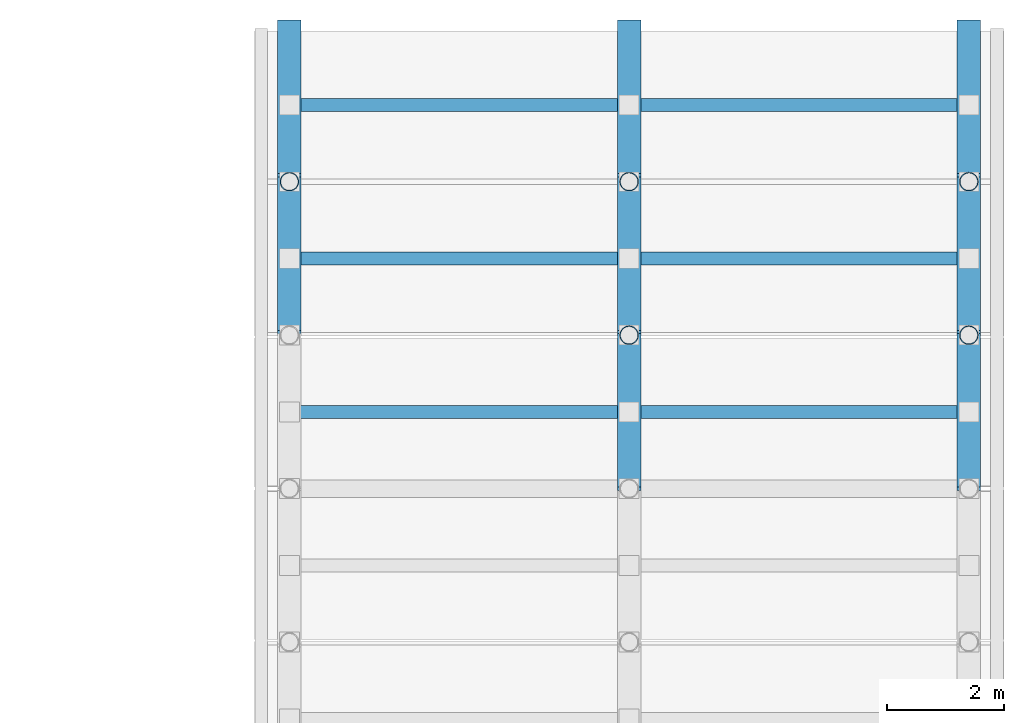
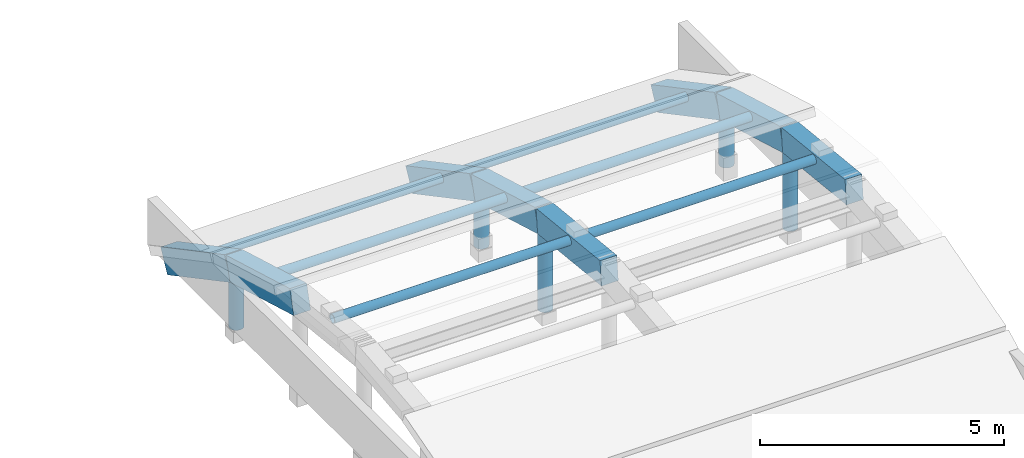
# One storey, part 4 of 16: 11 members, 8 beams.
"""IFC4 building model written with IfcOpenShell, lengths in metres."""

from ifc_helpers import new_model, si_unit, direction, frame, origin, origin_with_axes, origin_2d, place, context, subcontext, project, spatial, rectangle, hollow_circle, extrude, source, transform, mapped, material, material_profile, profile_set, type_object, element, save


model = new_model("IFC4")

# Units and contexts
model_context = context("Model", 3, precision=1e-05, world=origin(), true_north=direction((0.0, 1.0)))
body_context = subcontext(model_context, "Body", "Model", "MODEL_VIEW")
ifc_project = project(units=[si_unit("LENGTHUNIT", "METRE"), si_unit("AREAUNIT", "SQUARE_METRE"), si_unit("VOLUMEUNIT", "CUBIC_METRE"), si_unit("PLANEANGLEUNIT", "RADIAN"), si_unit("MASSUNIT", "GRAM", prefix="KILO")], contexts=[model_context])

# Site, building, storey
site_placement = place(None, origin())
site = spatial("IfcSite", under=ifc_project, at=site_placement, CompositionType="ELEMENT")
building_placement = place(site_placement, origin())
building = spatial("IfcBuilding", under=site, at=building_placement, Name="Karkom Vertical University and Central Library", CompositionType="ELEMENT")
storey_placement = place(building_placement, frame((0.0, 0.0, 22.5)))
storey = spatial("IfcBuildingStorey", under=building, at=storey_placement, Name="L05", CompositionType="ELEMENT", Elevation=22.5)

# Members
ifc_material_1 = material(Name="Steel S355", Category="steel")
ifc_material_profile_1 = material_profile(ifc_material_1, hollow_circle(Radius=0.109619140625, WallThickness=0.012451171875, at=origin_2d()), Name="CHS 219.1x12.5")
ifc_profile_set_1 = profile_set([ifc_material_profile_1], Name="Steel S355")
member_type_1 = type_object("IfcMemberType", Name="STR-MEM-PR-1", PredefinedType="PURLIN", material=ifc_profile_set_1)
shared_shape_1 = source(origin_with_axes(), body_context, "Body", "SweptSolid", [
    extrude(hollow_circle(Radius=0.109619140625, WallThickness=0.012451171875, at=origin_2d()), origin(), (0.0, 0.0, 1.0), 5.7998046875),
])
for number, where, z_axis, x_axis, name in (
    (1, (69.60009765625, 43.530029296875, 1.916015625), (1.0, 0.0, 0.0), (0.0, 1.0, 0.0), "Library Vault 3 Purlin 4.1"),
    (2, (69.60009765625, 46.14990234375, 1.39501953125), (1.0, 0.0, 0.0), (0.0, 1.0, 0.0), "Library Vault 3 Purlin 5.1"),
    (3, (69.60009765625, 48.77001953125, 0.302490234375), (1.0, 0.0, 0.0), (0.0, 1.0, 0.0), "Library Vault 3 Purlin 6.1"),
):
    element("IfcMember", number, at=place(storey_placement, frame(where, z_axis=z_axis, x_axis=x_axis)), inside=storey, type_object=member_type_1, Name=name, PredefinedType="PURLIN", context=body_context, shape_type="MappedRepresentation", body=[
        mapped(shared_shape_1, transform((0.0, 0.0, 0.0), scale=1.0)),
    ])
shared_shape_2 = source(origin_with_axes(), body_context, "Body", "SweptSolid", [
    extrude(hollow_circle(Radius=0.109619140625, WallThickness=0.012451171875, at=origin_2d()), origin(), (0.0, 0.0, 1.0), 5.800048828125),
])
for number, where, z_axis, x_axis, name in (
    (4, (75.39990234375, 43.530029296875, 1.916015625), (1.0, 0.0, 0.0), (0.0, 1.0, 0.0), "Library Vault 3 Purlin 4.2"),
    (5, (75.39990234375, 46.14990234375, 1.39501953125), (1.0, 0.0, 0.0), (0.0, 1.0, 0.0), "Library Vault 3 Purlin 5.2"),
    (6, (75.39990234375, 48.77001953125, 0.302490234375), (1.0, 0.0, 0.0), (0.0, 1.0, 0.0), "Library Vault 3 Purlin 6.2"),
):
    element("IfcMember", number, at=place(storey_placement, frame(where, z_axis=z_axis, x_axis=x_axis)), inside=storey, type_object=member_type_1, Name=name, PredefinedType="PURLIN", context=body_context, shape_type="MappedRepresentation", body=[
        mapped(shared_shape_2, transform((0.0, 0.0, 0.0), scale=1.0)),
    ])
ifc_material_profile_2 = material_profile(ifc_material_1, hollow_circle(Radius=0.161865234375, WallThickness=0.01611328125, at=origin_2d()), Name="CHS 323.9x16")
ifc_profile_set_2 = profile_set([ifc_material_profile_2], Name="Steel S355")
member_type_2 = type_object("IfcMemberType", Name="STR-MEM-PT-1", PredefinedType="POST", material=ifc_profile_set_2)
shared_shape_3 = source(origin_with_axes(), body_context, "Body", "SweptSolid", [
    extrude(hollow_circle(Radius=0.161865234375, WallThickness=0.01611328125, at=origin_2d()), origin(), (0.0, 0.0, 1.0), 1.5029296875),
])
for number, where, z_axis, x_axis, name in (
    (7, (69.60009765625, 47.4599609375, -0.64990234375), (0.0, 0.0, 1.0), (1.0, 0.0, 0.0), "Library Vault 3 Vierendeel Arch Post 1.5"),
    (8, (75.39990234375, 47.4599609375, -0.64990234375), (0.0, 0.0, 1.0), (1.0, 0.0, 0.0), "Library Vault 3 Vierendeel Arch Post 2.5"),
    (9, (81.199951171875, 47.4599609375, -0.64990234375), (0.0, 0.0, 1.0), (1.0, 0.0, 0.0), "Library Vault 3 Vierendeel Arch Post 3.5"),
):
    element("IfcMember", number, at=place(storey_placement, frame(where, z_axis=z_axis, x_axis=x_axis)), inside=storey, type_object=member_type_2, Name=name, PredefinedType="POST", context=body_context, shape_type="MappedRepresentation", body=[
        mapped(shared_shape_3, transform((0.0, 0.0, 0.0), scale=1.0)),
    ])
shared_shape_4 = source(origin_with_axes(), body_context, "Body", "SweptSolid", [
    extrude(hollow_circle(Radius=0.161865234375, WallThickness=0.01611328125, at=origin_2d()), origin(), (0.0, 0.0, 1.0), 2.25439453125),
])
for number, where, z_axis, x_axis, name in (
    (10, (75.39990234375, 44.840087890625, -0.64990234375), (0.0, 0.0, 1.0), (1.0, 0.0, 0.0), "Library Vault 3 Vierendeel Arch Post 2.4"),
    (11, (81.199951171875, 44.840087890625, -0.64990234375), (0.0, 0.0, 1.0), (1.0, 0.0, 0.0), "Library Vault 3 Vierendeel Arch Post 3.4"),
):
    element("IfcMember", number, at=place(storey_placement, frame(where, z_axis=z_axis, x_axis=x_axis)), inside=storey, type_object=member_type_2, Name=name, PredefinedType="POST", context=body_context, shape_type="MappedRepresentation", body=[
        mapped(shared_shape_4, transform((0.0, 0.0, 0.0), scale=1.0)),
    ])

# Beams
ifc_material_2 = material(Name="Precast concrete C45/55", Category="concrete")
ifc_material_profile_3 = material_profile(ifc_material_2, rectangle(XDim=0.39990234375, YDim=0.60009765625, at=origin_2d()), Name="RCB-400x600")
ifc_profile_set_3 = profile_set([ifc_material_profile_3], Name="Precast concrete C45/55")
beam_type = type_object("IfcBeamType", Name="STR-BM-VA-1", PredefinedType="BEAM", material=ifc_profile_set_3)
shared_shape_5 = source(origin_with_axes(), body_context, "Body", "SweptSolid", [
    extrude(rectangle(XDim=0.39990234375, YDim=0.60009765625, at=origin_2d()), origin(), (0.0, 0.0, 1.0), 2.967529296875),
])
for number, where, z_axis, x_axis, name in (
    (12, (69.60009765625, 47.4599609375, 0.85302734375), (0.0, 0.882958015485, -0.469451960153), (-1.0, 0.0, 0.0), "Library Vault 3 Arch Rib 1 Chord 6"),
    (13, (75.39990234375, 47.4599609375, 0.85302734375), (0.0, 0.882958015485, -0.469451960153), (-1.0, 0.0, 0.0), "Library Vault 3 Arch Rib 2 Chord 6"),
    (14, (81.199951171875, 47.4599609375, 0.85302734375), (0.0, 0.882958015485, -0.469451960153), (-1.0, 0.0, 0.0), "Library Vault 3 Arch Rib 3 Chord 6"),
):
    element("IfcBeam", number, at=place(storey_placement, frame(where, z_axis=z_axis, x_axis=x_axis)), inside=storey, type_object=beam_type, Name=name, PredefinedType="BEAM", context=body_context, shape_type="MappedRepresentation", body=[
        mapped(shared_shape_5, transform((0.0, 0.0, 0.0), scale=1.0)),
    ])
shared_shape_6 = source(origin_with_axes(), body_context, "Body", "SweptSolid", [
    extrude(rectangle(XDim=0.39990234375, YDim=0.60009765625, at=origin_2d()), origin(), (0.0, 0.0, 1.0), 2.7255859375),
])
for number, where, z_axis, x_axis, name in (
    (15, (69.60009765625, 44.840087890625, 1.6044921875), (0.0, 0.961239495222, -0.275714767151), (-1.0, 0.0, 0.0), "Library Vault 3 Arch Rib 1 Chord 5"),
    (16, (75.39990234375, 44.840087890625, 1.6044921875), (0.0, 0.961239495222, -0.275714767151), (-1.0, 0.0, 0.0), "Library Vault 3 Arch Rib 2 Chord 5"),
    (17, (81.199951171875, 44.840087890625, 1.6044921875), (0.0, 0.961239495222, -0.275714767151), (-1.0, 0.0, 0.0), "Library Vault 3 Arch Rib 3 Chord 5"),
):
    element("IfcBeam", number, at=place(storey_placement, frame(where, z_axis=z_axis, x_axis=x_axis)), inside=storey, type_object=beam_type, Name=name, PredefinedType="BEAM", context=body_context, shape_type="MappedRepresentation", body=[
        mapped(shared_shape_6, transform((0.0, 0.0, 0.0), scale=1.0)),
    ])
shared_shape_7 = source(origin_with_axes(), body_context, "Body", "SweptSolid", [
    extrude(rectangle(XDim=0.39990234375, YDim=0.60009765625, at=origin_2d()), origin(), (0.0, 0.0, 1.0), 2.634521484375),
])
for number, where, z_axis, x_axis, name in (
    (18, (75.39990234375, 42.219970703125, 1.8798828125), (0.0, 0.99452168972, -0.104530419866), (-1.0, 0.0, 0.0), "Library Vault 3 Arch Rib 2 Chord 4"),
    (19, (81.199951171875, 42.219970703125, 1.8798828125), (0.0, 0.99452168972, -0.104530419866), (-1.0, 0.0, 0.0), "Library Vault 3 Arch Rib 3 Chord 4"),
):
    element("IfcBeam", number, at=place(storey_placement, frame(where, z_axis=z_axis, x_axis=x_axis)), inside=storey, type_object=beam_type, Name=name, PredefinedType="BEAM", context=body_context, shape_type="MappedRepresentation", body=[
        mapped(shared_shape_7, transform((0.0, 0.0, 0.0), scale=1.0)),
    ])

save(model, "model.ifc")
